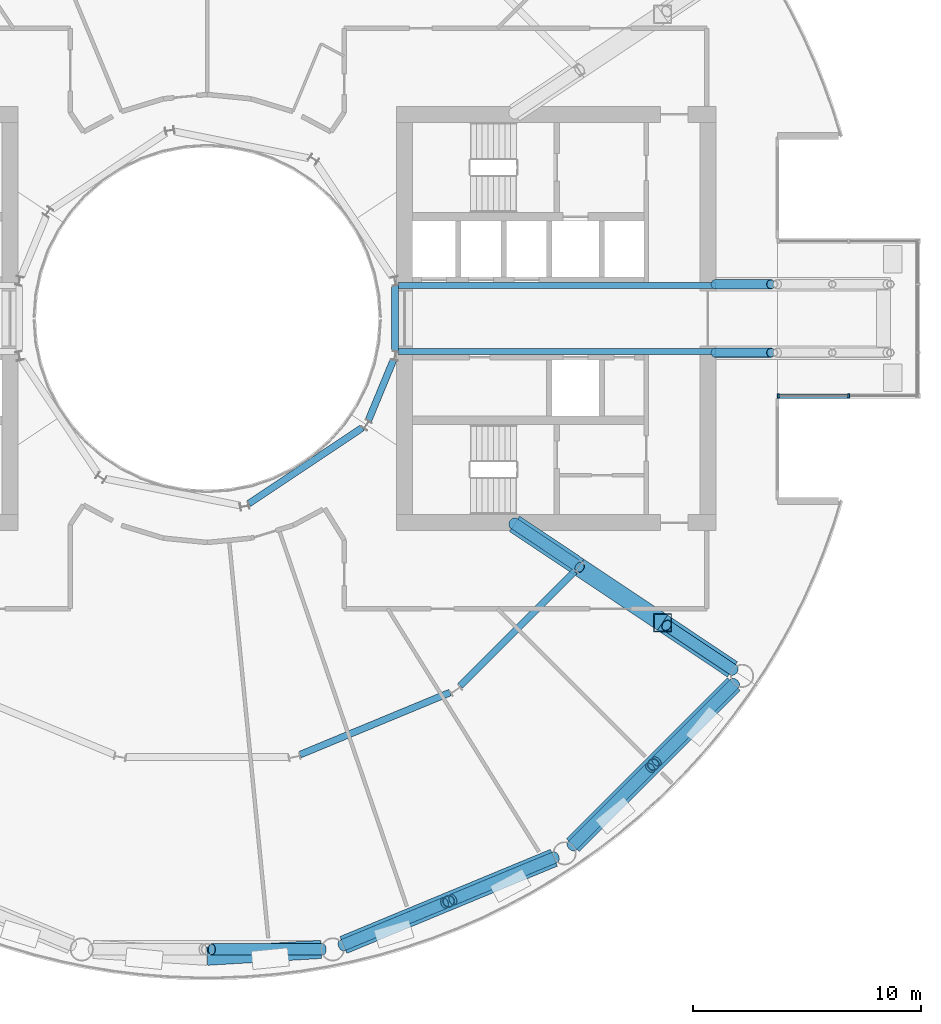
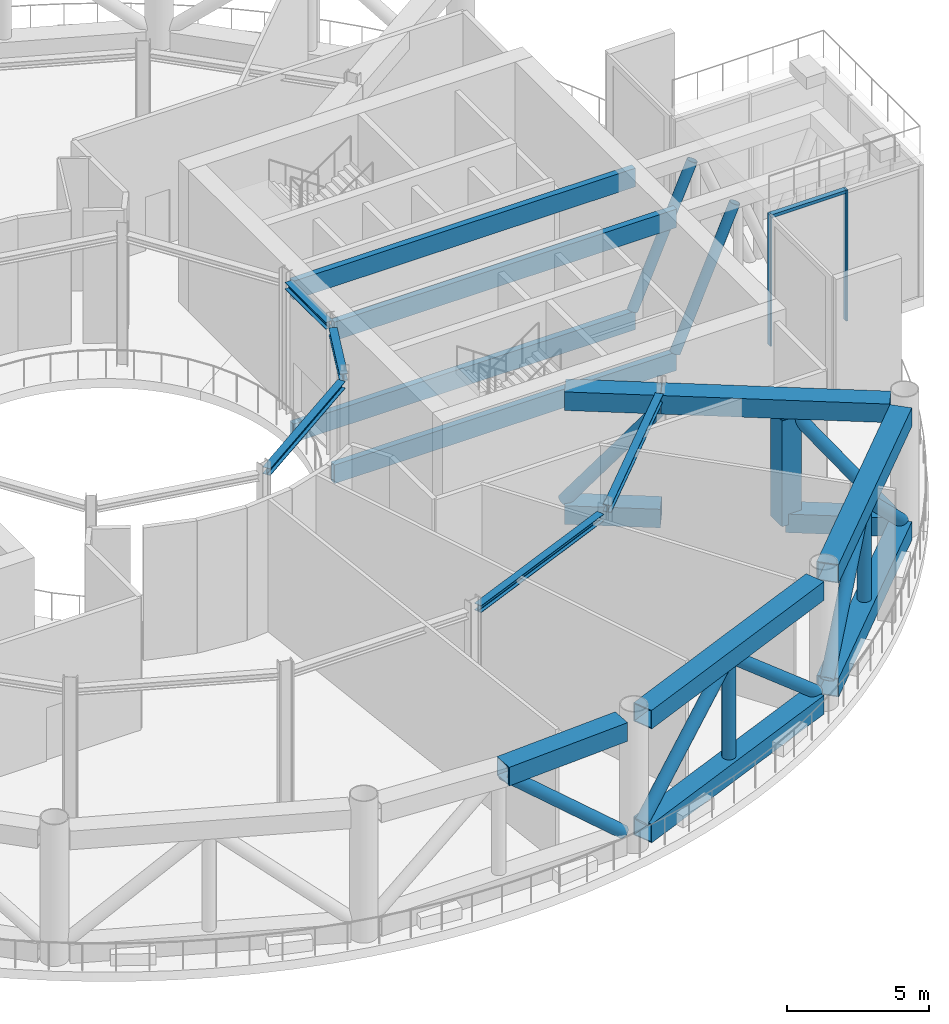
# One storey, part 7 of 23: 18 beams, 15 members, 1 element without a shape of its own.
"""IFC4 building model written with IfcOpenShell, lengths in metres."""

from ifc_helpers import new_model, si_unit, direction, frame, origin, origin_2d, place, context, subcontext, project, spatial, rectangle, hollow_rectangle, hollow_circle, i_section, extrude, material, layer, layer_set, material_profile, profile_set, type_object, element, aggregate, save


model = new_model("IFC4")

# Units and contexts
model_context = context("Model", 3, precision=1e-05, world=origin(), true_north=direction((0.0, 1.0)))
body_context = subcontext(model_context, "Body", "Model", "MODEL_VIEW")
ifc_project = project(units=[si_unit("LENGTHUNIT", "METRE"), si_unit("AREAUNIT", "SQUARE_METRE"), si_unit("VOLUMEUNIT", "CUBIC_METRE"), si_unit("PLANEANGLEUNIT", "RADIAN"), si_unit("MASSUNIT", "GRAM", prefix="KILO")], contexts=[model_context])

# Site, building, storey
site_placement = place(None, origin())
site = spatial("IfcSite", under=ifc_project, at=site_placement, CompositionType="ELEMENT")
building_placement = place(site_placement, origin())
building = spatial("IfcBuilding", under=site, at=building_placement, Name="Maasbend Ring Residences", CompositionType="ELEMENT")
storey_placement = place(building_placement, frame((0.0, 0.0, 97.14990234375)))
storey = spatial("IfcBuildingStorey", under=building, at=storey_placement, Name="L28", CompositionType="ELEMENT", Elevation=97.14990234375)

# Beams
ifc_material_1 = material(Name="Steel S460M", Category="steel")
ifc_material_profile_1 = material_profile(ifc_material_1, hollow_rectangle(XDim=0.800048828125, YDim=0.800048828125, WallThickness=0.0400390625, at=origin_2d()), Name="Belt truss chord BX 800x800x40")
ifc_profile_set_1 = profile_set([ifc_material_profile_1], Name="Steel S460M")
beam_type_1 = type_object("IfcBeamType", Name="Belt truss chord BX 800x800x40", PredefinedType="BEAM", material=ifc_profile_set_1)
beam_1_placement = place(storey_placement, frame((0.0, -27.9580078125, 5.300048828125), z_axis=(0.998202452092, 0.059932166976, 0.0), x_axis=(-0.059932166976, 0.998202452092, 0.0)))
element("IfcBeam", 1, at=beam_1_placement, inside=storey, type_object=beam_type_1, Name="Belt truss", PredefinedType="BEAM", context=body_context, shape_type="SweptSolid", body=[
    extrude(hollow_rectangle(XDim=0.800048828125, YDim=0.800048828125, WallThickness=0.0400390625, at=origin_2d()), origin(), (0.0, 0.0, 1.0), 5.00244140625),
])
for number, where, z_axis, x_axis, name in (
    (2, (5.970703125, -27.463623046875, 0.400146484375), (0.923886337442, 0.382667003395, 0.0), (-0.382667003395, 0.923886337442, 0.0), "Belt truss"),
    (3, (5.970703125, -27.463623046875, 5.300048828125), (0.923886337442, 0.382667003395, 0.0), (-0.382667003395, 0.923886337442, 0.0), "Belt truss"),
):
    element("IfcBeam", number, at=place(storey_placement, frame(where, z_axis=z_axis, x_axis=x_axis)), inside=storey, type_object=beam_type_1, Name=name, PredefinedType="BEAM", context=body_context, shape_type="SweptSolid", body=[
        extrude(hollow_rectangle(XDim=0.800048828125, YDim=0.800048828125, WallThickness=0.0400390625, at=origin_2d()), origin(), (0.0, 0.0, 1.0), 9.9873046875),
    ])
for number, where, z_axis, x_axis, name in (
    (4, (16.0263671875, -23.088134765625, 0.400146484375), (0.707106781187, 0.707106781187, 0.0), (-0.707106781187, 0.707106781187, 0.0), "Belt truss"),
    (5, (16.0263671875, -23.088134765625, 5.300048828125), (0.707106781187, 0.707106781187, 0.0), (-0.707106781187, 0.707106781187, 0.0), "Belt truss"),
):
    element("IfcBeam", number, at=place(storey_placement, frame(where, z_axis=z_axis, x_axis=x_axis)), inside=storey, type_object=beam_type_1, Name=name, PredefinedType="BEAM", context=body_context, shape_type="SweptSolid", body=[
        extrude(hollow_rectangle(XDim=0.800048828125, YDim=0.800048828125, WallThickness=0.0400390625, at=origin_2d()), origin(), (0.0, 0.0, 1.0), 9.98681640625),
    ])

# Members
ifc_material_2 = material(Name="Steel S460NH", Category="steel")
ifc_material_profile_2 = material_profile(ifc_material_2, hollow_circle(Radius=0.25390625, WallThickness=0.02490234375, at=origin_2d()), Name="Belt truss diagonal CHS 508x25")
ifc_profile_set_2 = profile_set([ifc_material_profile_2], Name="Steel S460NH")
member_type_1 = type_object("IfcMemberType", Name="Belt truss diagonal CHS 508x25", PredefinedType="BRACE", material=ifc_profile_set_2)
member_1_placement = place(storey_placement, frame((0.1962890625, -27.658203125, 4.9501953125), z_axis=(0.756263488028, 0.0, -0.654267175301), x_axis=(0.0, 1.0, 0.0)))
element("IfcMember", 6, at=member_1_placement, inside=storey, type_object=member_type_1, Name="Belt truss diagonal", PredefinedType="BRACE", context=body_context, shape_type="SweptSolid", body=[
    extrude(hollow_circle(Radius=0.25390625, WallThickness=0.02490234375, at=origin_2d()), origin(), (0.0, 0.0, 1.0), 6.419677734375),
])
for number, where, z_axis, x_axis, name in (
    (7, (5.91748046875, -27.48583984375, 0.75), (0.698703236412, 0.289437235744, 0.65424756323), (-0.382711511298, 0.923867901337, 0.0), "Belt truss diagonal"),
    (8, (10.765625, -25.477783203125, 4.9501953125), (0.698703236412, 0.289437235744, -0.65424756323), (-0.382711511298, 0.923867901337, 0.0), "Belt truss diagonal"),
    (9, (15.9853515625, -23.129150390625, 0.75), (0.53476676586, 0.53476676586, 0.654254546995), (-0.707106781187, 0.707106781187, 0.0), "Belt truss diagonal"),
    (10, (19.696044921875, -19.41845703125, 4.9501953125), (0.53476676586, 0.53476676586, -0.654254546995), (-0.707106781187, 0.707106781187, 0.0), "Belt truss diagonal"),
):
    element("IfcMember", number, at=place(storey_placement, frame(where, z_axis=z_axis, x_axis=x_axis)), inside=storey, type_object=member_type_1, Name=name, PredefinedType="BRACE", context=body_context, shape_type="SweptSolid", body=[
        extrude(hollow_circle(Radius=0.25390625, WallThickness=0.02490234375, at=origin_2d()), origin(), (0.0, 0.0, 1.0), 6.419921875),
    ])
ifc_material_3 = material(Name="Steel S460NH", Category="steel")
ifc_material_profile_3 = material_profile(ifc_material_3, hollow_circle(Radius=0.25390625, WallThickness=0.01611328125, at=origin_2d()), Name="Belt truss post CHS 508x16")
ifc_profile_set_3 = profile_set([ifc_material_profile_3], Name="Steel S460NH")
member_type_2 = type_object("IfcMemberType", Name="Belt truss post CHS 508x16", PredefinedType="POST", material=ifc_profile_set_3)
for number, where, z_axis, x_axis, name in (
    (11, (10.584228515625, -25.552734375, 0.800048828125), (0.0, 0.0, 1.0), (1.0, 0.0, 0.0), "Belt truss post"),
    (12, (19.55712890625, -19.55712890625, 0.800048828125), (0.0, 0.0, 1.0), (1.0, 0.0, 0.0), "Belt truss post"),
):
    element("IfcMember", number, at=place(storey_placement, frame(where, z_axis=z_axis, x_axis=x_axis)), inside=storey, type_object=member_type_2, Name=name, PredefinedType="POST", context=body_context, shape_type="SweptSolid", body=[
        extrude(hollow_circle(Radius=0.25390625, WallThickness=0.01611328125, at=origin_2d()), origin(), (0.0, 0.0, 1.0), 4.10009765625),
    ])

# Curtain wall, members
ifc_material_4 = material(Name="Aluminium and clear glass", Category="aluminium")
ifc_layer = layer(ifc_material_4, 0.199951171875)
ifc_layer_set = layer_set([ifc_layer], Name="CW-GR")
curtain_wall_type = type_object("IfcCurtainWallType", Name="CW-GR", PredefinedType="NOTDEFINED", material=ifc_layer_set)
curtain_wall_placement = place(storey_placement, origin())
curtain_wall = element("IfcCurtainWall", 13, at=curtain_wall_placement, inside=storey, type_object=curtain_wall_type, Name="Glass lounge curtain wall south", PredefinedType="NOTDEFINED")
ifc_material_5 = material(Name="Aluminium 6063-T6", Category="aluminium")
ifc_material_profile_4 = material_profile(ifc_material_5, rectangle(XDim=0.199951171875, YDim=0.070068359375, at=origin_2d()), Name="AL 200x70")
ifc_profile_set_4 = profile_set([ifc_material_profile_4], Name="Aluminium 6063-T6")
member_type_3 = type_object("IfcMemberType", Name="CWM-GR", PredefinedType="MULLION", material=ifc_profile_set_4)
member_2_placement = place(storey_placement, frame((25.034912109375, -3.39990234375, 0.0), z_axis=(0.0, 0.0, 1.0), x_axis=(0.0, 1.0, 0.0)))
member_2 = element("IfcMember", 14, at=member_2_placement, type_object=member_type_3, Name="Mullion glass room", PredefinedType="MULLION", context=body_context, shape_type="SweptSolid", body=[
    extrude(rectangle(XDim=0.199951171875, YDim=0.070068359375, at=origin_2d()), origin(), (0.0, 0.0, 1.0), 5.650146484375),
])
member_3_placement = place(storey_placement, frame((28.125, -3.39990234375, 0.0), z_axis=(0.0, 0.0, 1.0), x_axis=(0.0, 1.0, 0.0)))
member_3 = element("IfcMember", 15, at=member_3_placement, type_object=member_type_3, Name="Mullion glass room", PredefinedType="MULLION", context=body_context, shape_type="SweptSolid", body=[
    extrude(rectangle(XDim=0.199951171875, YDim=0.070068359375, at=origin_2d()), origin(), (0.0, 0.0, 1.0), 5.650146484375),
])
ifc_material_6 = material(Name="Aluminium 6063-T6", Category="aluminium")
ifc_material_profile_5 = material_profile(ifc_material_6, rectangle(XDim=0.199951171875, YDim=0.139892578125, at=origin_2d()), Name="AL 200x140")
ifc_profile_set_5 = profile_set([ifc_material_profile_5], Name="Aluminium 6063-T6")
member_type_4 = type_object("IfcMemberType", Name="CWT-GR", PredefinedType="USERDEFINED", material=ifc_profile_set_5)
member_4_placement = place(storey_placement, frame((25.070068359375, -3.39990234375, 5.580078125), z_axis=(1.0, 0.0, 0.0), x_axis=(0.0, 1.0, 0.0)))
member_4 = element("IfcMember", 16, at=member_4_placement, type_object=member_type_4, Name="Transom glass room", ObjectType="TRANSOM", PredefinedType="USERDEFINED", context=body_context, shape_type="SweptSolid", body=[
    extrude(rectangle(XDim=0.199951171875, YDim=0.139892578125, at=origin_2d()), origin(), (0.0, 0.0, 1.0), 3.02001953125),
])
aggregate(curtain_wall, [member_2, member_3, member_4])

# Beams
ifc_material_7 = material(Name="Steel S355J2", Category="steel")
ifc_material_profile_6 = material_profile(ifc_material_7, i_section(OverallWidth=0.300048828125, OverallDepth=0.300048828125, WebThickness=0.010986328125, FlangeThickness=0.01904296875, FilletRadius=0.027099609375, at=origin_2d()), Name="HEB 300")
ifc_profile_set_6 = profile_set([ifc_material_profile_6], Name="Steel S355J2")
beam_type_2 = type_object("IfcBeamType", Name="Corridor ring beam HEB 300", PredefinedType="BEAM", material=ifc_profile_set_6)
for number, where, z_axis, x_axis, name in (
    (17, (4.070556640625, -19.12109375, 5.550048828125), (0.923877113721, 0.382689271788, 0.0), (-0.382689271788, 0.923877113721, 0.0), "Corridor ring beam"),
    (18, (11.078125, -16.10791015625, 5.550048828125), (0.707106781187, 0.707106781187, 0.0), (-0.707106781187, 0.707106781187, 0.0), "Corridor ring beam"),
):
    element("IfcBeam", number, at=place(storey_placement, frame(where, z_axis=z_axis, x_axis=x_axis)), inside=storey, type_object=beam_type_2, Name=name, PredefinedType="BEAM", context=body_context, shape_type="SweptSolid", body=[
        extrude(i_section(OverallWidth=0.300048828125, OverallDepth=0.300048828125, WebThickness=0.010986328125, FlangeThickness=0.01904296875, FilletRadius=0.027099609375, at=origin_2d()), origin(), (0.0, 0.0, 1.0), 7.11328125),
    ])
ifc_material_8 = material(Name="Steel S460M", Category="steel")
ifc_material_profile_7 = material_profile(ifc_material_8, hollow_rectangle(XDim=0.25, YDim=0.800048828125, WallThickness=0.02490234375, at=origin_2d()), Name="Glass room back-span beam BX 800x250x25")
ifc_profile_set_7 = profile_set([ifc_material_profile_7], Name="Steel S460M")
beam_type_3 = type_object("IfcBeamType", Name="Glass room back-span beam BX 800x250x25", PredefinedType="BEAM", material=ifc_profile_set_7)
for number, where, z_axis, x_axis, name in (
    (19, (22.300048828125, -1.449951171875, -0.849853515625), (-1.0, 0.0, 0.0), (0.0, -1.0, 0.0), "Glass room lower back-span beam E"),
    (20, (22.300048828125, -1.449951171875, 5.300048828125), (-1.0, 0.0, 0.0), (0.0, -1.0, 0.0), "Glass room back-span beam E"),
    (21, (22.300048828125, 1.449951171875, -0.849853515625), (-1.0, 0.0, 0.0), (0.0, -1.0, 0.0), "Glass room lower back-span beam E"),
    (22, (22.300048828125, 1.449951171875, 5.300048828125), (-1.0, 0.0, 0.0), (0.0, -1.0, 0.0), "Glass room back-span beam E"),
):
    element("IfcBeam", number, at=place(storey_placement, frame(where, z_axis=z_axis, x_axis=x_axis)), inside=storey, type_object=beam_type_3, Name=name, PredefinedType="BEAM", context=body_context, shape_type="SweptSolid", body=[
        extrude(hollow_rectangle(XDim=0.25, YDim=0.800048828125, WallThickness=0.02490234375, at=origin_2d()), origin(), (0.0, 0.0, 1.0), 13.930908203125),
    ])

# Members
ifc_material_9 = material(Name="Steel S460NH", Category="steel")
ifc_material_profile_8 = material_profile(ifc_material_9, hollow_circle(Radius=0.203125, WallThickness=0.01611328125, at=origin_2d()), Name="Glass room truss diagonal CHS 406.4x16")
ifc_profile_set_8 = profile_set([ifc_material_profile_8], Name="Steel S460NH")
member_type_5 = type_object("IfcMemberType", Name="Glass room truss diagonal CHS 406.4x16", PredefinedType="BRACE", material=ifc_profile_set_8)
for number, where, z_axis, x_axis, name in (
    (23, (22.2783203125, -1.5, -0.5), (0.398253752107, 0.0, 0.917275285251), (0.0, 1.0, 0.0), "Glass room truss E diagonal"),
    (24, (22.2783203125, 1.5, -0.5), (0.398253752107, 0.0, 0.917275285251), (0.0, 1.0, 0.0), "Glass room truss E diagonal"),
):
    element("IfcMember", number, at=place(storey_placement, frame(where, z_axis=z_axis, x_axis=x_axis)), inside=storey, type_object=member_type_5, Name=name, PredefinedType="BRACE", context=body_context, shape_type="SweptSolid", body=[
        extrude(hollow_circle(Radius=0.203125, WallThickness=0.01611328125, at=origin_2d()), origin(), (0.0, 0.0, 1.0), 6.105224609375),
    ])

# Beams
ifc_material_10 = material(Name="Steel S460M", Category="steel")
ifc_material_profile_9 = material_profile(ifc_material_10, hollow_rectangle(XDim=0.800048828125, YDim=0.800048828125, WallThickness=0.0400390625, at=origin_2d()), Name="Outrigger truss chord BX 800x800x40")
ifc_profile_set_9 = profile_set([ifc_material_profile_9], Name="Steel S460M")
beam_type_4 = type_object("IfcBeamType", Name="Outrigger truss chord BX 800x800x40", PredefinedType="BEAM", material=ifc_profile_set_9)
beam_2_placement = place(storey_placement, frame((23.02490234375, -15.385009765625, 0.400146484375), z_axis=(-0.83143805452, 0.555617459676, 0.0), x_axis=(-0.555617459676, -0.83143805452, 0.0)))
element("IfcBeam", 25, at=beam_2_placement, inside=storey, type_object=beam_type_4, Name="Outrigger truss", PredefinedType="BEAM", context=body_context, shape_type="SweptSolid", body=[
    extrude(hollow_rectangle(XDim=0.800048828125, YDim=0.800048828125, WallThickness=0.0400390625, at=origin_2d()), origin(), (0.0, 0.0, 1.0), 3.68408203125),
])
beam_3_placement = place(storey_placement, frame((23.02490234375, -15.385009765625, 5.300048828125), z_axis=(-0.831450444505, 0.555598918585, 0.0), x_axis=(-0.555598918585, -0.831450444505, 0.0)))
element("IfcBeam", 26, at=beam_3_placement, inside=storey, type_object=beam_type_4, Name="Outrigger truss", PredefinedType="BEAM", context=body_context, shape_type="SweptSolid", body=[
    extrude(hollow_rectangle(XDim=0.800048828125, YDim=0.800048828125, WallThickness=0.0400390625, at=origin_2d()), origin(), (0.0, 0.0, 1.0), 8.083984375),
])
for number, where, z_axis, x_axis, name in (
    (27, (16.2900390625, -10.884765625, 0.400146484375), (-0.831451918965, 0.555596712058, 0.0), (-0.555596712058, -0.831451918965, 0.0), "Outrigger truss"),
    (28, (16.2900390625, -10.884765625, 5.300048828125), (-0.831451918965, 0.555596712058, 0.0), (-0.555596712058, -0.831451918965, 0.0), "Outrigger truss"),
):
    element("IfcBeam", number, at=place(storey_placement, frame(where, z_axis=z_axis, x_axis=x_axis)), inside=storey, type_object=beam_type_4, Name=name, PredefinedType="BEAM", context=body_context, shape_type="SweptSolid", body=[
        extrude(hollow_rectangle(XDim=0.800048828125, YDim=0.800048828125, WallThickness=0.0400390625, at=origin_2d()), origin(), (0.0, 0.0, 1.0), 3.392333984375),
    ])

# Members
ifc_material_11 = material(Name="Steel S460NH", Category="steel")
ifc_material_profile_10 = material_profile(ifc_material_11, hollow_circle(Radius=0.25390625, WallThickness=0.02490234375, at=origin_2d()), Name="Outrigger truss diagonal CHS 508x25")
ifc_profile_set_10 = profile_set([ifc_material_profile_10], Name="Steel S460NH")
member_type_6 = type_object("IfcMemberType", Name="Outrigger truss diagonal CHS 508x25", PredefinedType="BRACE", material=ifc_profile_set_10)
member_5_placement = place(storey_placement, frame((23.059814453125, -15.408203125, 0.75), z_axis=(-0.533517077926, 0.356480534394, 0.766994886658), x_axis=(-0.555565729275, -0.831472621591, 0.0)))
element("IfcMember", 29, at=member_5_placement, inside=storey, type_object=member_type_6, Name="Outrigger truss diagonal", PredefinedType="BRACE", context=body_context, shape_type="SweptSolid", body=[
    extrude(hollow_circle(Radius=0.25390625, WallThickness=0.02490234375, at=origin_2d()), origin(), (0.0, 0.0, 1.0), 5.47607421875),
])
member_6_placement = place(storey_placement, frame((16.324462890625, -10.90771484375, 4.9501953125), z_axis=(-0.530029775018, 0.354159312281, -0.770480122468), x_axis=(-0.555575372709, -0.831466178049, 0.0)))
element("IfcMember", 30, at=member_6_placement, inside=storey, type_object=member_type_6, Name="Outrigger truss diagonal", PredefinedType="BRACE", context=body_context, shape_type="SweptSolid", body=[
    extrude(hollow_circle(Radius=0.25390625, WallThickness=0.02490234375, at=origin_2d()), origin(), (0.0, 0.0, 1.0), 5.451416015625),
])
ifc_material_12 = material(Name="Steel S460M", Category="steel")
ifc_material_profile_11 = material_profile(ifc_material_12, hollow_rectangle(XDim=0.800048828125, YDim=0.800048828125, WallThickness=0.0400390625, at=origin_2d()), Name="Outrigger truss post BX 800x800x40")
ifc_profile_set_11 = profile_set([ifc_material_profile_11], Name="Steel S460M")
member_type_7 = type_object("IfcMemberType", Name="Outrigger truss post BX 800x800x40", PredefinedType="POST", material=ifc_profile_set_11)
member_7_placement = place(storey_placement, frame((19.9619140625, -13.338134765625, 0.35009765625), z_axis=(0.0, 0.0, 1.0), x_axis=(1.0, 0.0, 0.0)))
element("IfcMember", 31, at=member_7_placement, inside=storey, type_object=member_type_7, Name="Outrigger truss post", PredefinedType="POST", context=body_context, shape_type="SweptSolid", body=[
    extrude(hollow_rectangle(XDim=0.800048828125, YDim=0.800048828125, WallThickness=0.0400390625, at=origin_2d()), origin(), (0.0, 0.0, 1.0), 4.550048828125),
])

# Beams
ifc_material_13 = material(Name="Steel S355J2", Category="steel")
ifc_material_profile_12 = material_profile(ifc_material_13, i_section(OverallWidth=0.300048828125, OverallDepth=0.300048828125, WebThickness=0.010986328125, FlangeThickness=0.01904296875, FilletRadius=0.027099609375, at=origin_2d()), Name="HEB 300")
ifc_profile_set_12 = profile_set([ifc_material_profile_12], Name="Steel S355J2")
beam_type_5 = type_object("IfcBeamType", Name="Well edge beam HEB 300", PredefinedType="BEAM", material=ifc_profile_set_12)
beam_4_placement = place(storey_placement, frame((1.81884765625, -8.118408203125, 5.550048828125), z_axis=(0.83145471117, 0.555592533493, 0.0), x_axis=(-0.555592533493, 0.83145471117, 0.0)))
element("IfcBeam", 32, at=beam_4_placement, inside=storey, type_object=beam_type_5, Name="Well edge beam", PredefinedType="BEAM", context=body_context, shape_type="SweptSolid", body=[
    extrude(i_section(OverallWidth=0.300048828125, OverallDepth=0.300048828125, WebThickness=0.010986328125, FlangeThickness=0.01904296875, FilletRadius=0.027099609375, at=origin_2d()), origin(), (0.0, 0.0, 1.0), 5.995849609375),
])
beam_5_placement = place(storey_placement, frame((7.062255859375, -4.478515625, 5.550048828125), z_axis=(0.382729955172, 0.923860260761, 0.0), x_axis=(-0.923860260761, 0.382729955172, 0.0)))
element("IfcBeam", 33, at=beam_5_placement, inside=storey, type_object=beam_type_5, Name="Well edge beam", PredefinedType="BEAM", context=body_context, shape_type="SweptSolid", body=[
    extrude(i_section(OverallWidth=0.300048828125, OverallDepth=0.300048828125, WebThickness=0.010986328125, FlangeThickness=0.01904296875, FilletRadius=0.027099609375, at=origin_2d()), origin(), (0.0, 0.0, 1.0), 2.869873046875),
])
beam_6_placement = place(storey_placement, frame((8.238525390625, -1.434814453125, 5.550048828125), z_axis=(0.0, 1.0, 0.0), x_axis=(-1.0, 0.0, 0.0)))
element("IfcBeam", 34, at=beam_6_placement, inside=storey, type_object=beam_type_5, Name="Well edge beam", PredefinedType="BEAM", context=body_context, shape_type="SweptSolid", body=[
    extrude(i_section(OverallWidth=0.300048828125, OverallDepth=0.300048828125, WebThickness=0.010986328125, FlangeThickness=0.01904296875, FilletRadius=0.027099609375, at=origin_2d()), origin(), (0.0, 0.0, 1.0), 2.86962890625),
])

save(model, "model.ifc")
